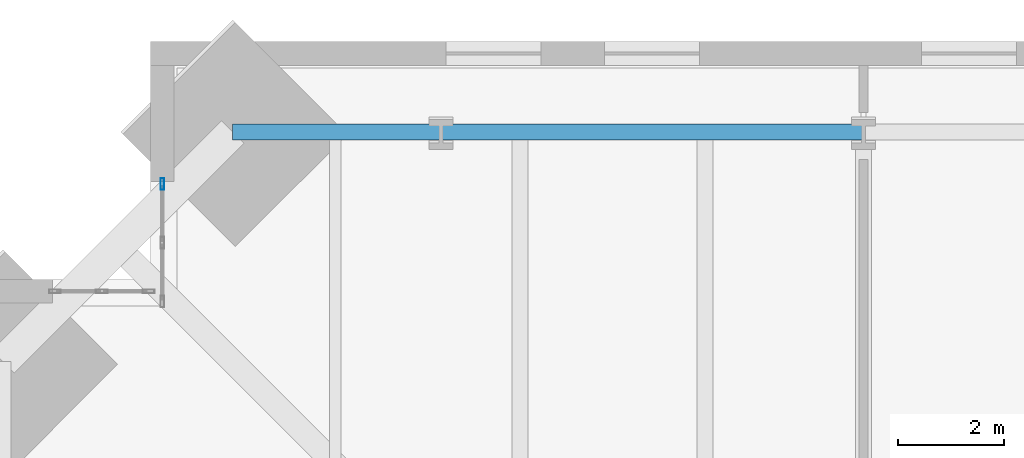
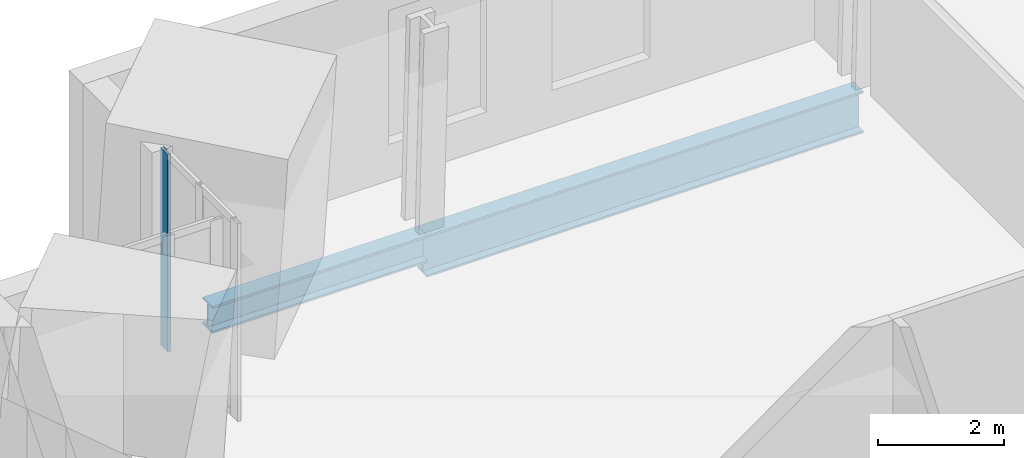
# One storey, part 8 of 18: 2 beams, 1 member, 1 element without a shape of its own.
"""IFC4 building model written with IfcOpenShell, lengths in metres."""

from ifc_helpers import new_model, si_unit, direction, frame, origin, origin_2d, place, context, subcontext, project, spatial, hollow_rectangle, i_section, extrude, material, material_profile, profile_set, type_object, element, aggregate, save


model = new_model("IFC4")

# Units and contexts
model_context = context("Model", 3, precision=1e-05, world=origin(), true_north=direction((0.0, 1.0)))
body_context = subcontext(model_context, "Body", "Model", "MODEL_VIEW")
ifc_project = project(units=[si_unit("LENGTHUNIT", "METRE"), si_unit("AREAUNIT", "SQUARE_METRE"), si_unit("VOLUMEUNIT", "CUBIC_METRE"), si_unit("PLANEANGLEUNIT", "RADIAN"), si_unit("MASSUNIT", "GRAM", prefix="KILO")], contexts=[model_context])

# Site, building, storey
site_placement = place(None, origin())
site = spatial("IfcSite", under=ifc_project, at=site_placement, CompositionType="ELEMENT")
building_placement = place(site_placement, origin())
building = spatial("IfcBuilding", under=site, at=building_placement, Name="Peilmerk Tower", CompositionType="ELEMENT")
storey_placement = place(building_placement, frame((0.0, 0.0, 163.800048828125)))
storey = spatial("IfcBuildingStorey", under=building, at=storey_placement, Name="L34", CompositionType="ELEMENT", Elevation=163.800048828125)

# Beams
ifc_material_1 = material(Name="Steel S355", Category="steel")
ifc_material_profile_1 = material_profile(ifc_material_1, i_section(OverallWidth=0.302978515625, OverallDepth=0.81396484375, WebThickness=0.02099609375, FlangeThickness=0.0400390625, at=origin_2d()), Name="HEM 800")
ifc_profile_set_1 = profile_set([ifc_material_profile_1], Name="Steel S355")
beam_type_1 = type_object("IfcBeamType", Name="B15 HEM 800 edge beam", PredefinedType="SPANDREL", material=ifc_profile_set_1)
beam_1_placement = place(storey_placement, frame((-8.0, 24.2919921875, -0.5771484375), z_axis=(-1.0, 0.0, 0.0), x_axis=(0.0, -1.0, 0.0)))
element("IfcBeam", 1, at=beam_1_placement, inside=storey, type_object=beam_type_1, Name="Edge beam L34", PredefinedType="SPANDREL", context=body_context, shape_type="SweptSolid", body=[
    extrude(i_section(OverallWidth=0.302978515625, OverallDepth=0.81396484375, WebThickness=0.02099609375, FlangeThickness=0.0400390625, at=origin_2d()), origin(), (0.0, 0.0, 1.0), 8.0),
])
ifc_material_profile_2 = material_profile(ifc_material_1, i_section(OverallWidth=0.305908203125, OverallDepth=0.52392578125, WebThickness=0.02099609375, FlangeThickness=0.0400390625, at=origin_2d()), Name="HEM 500")
ifc_profile_set_2 = profile_set([ifc_material_profile_2], Name="Steel S355")
beam_type_2 = type_object("IfcBeamType", Name="B33 HEM 500 edge beam", PredefinedType="SPANDREL", material=ifc_profile_set_2)
beam_2_placement = place(storey_placement, frame((-16.0, 24.2919921875, -0.43212890625), z_axis=(-1.0, 0.0, 0.0), x_axis=(0.0, -1.0, 0.0)))
element("IfcBeam", 2, at=beam_2_placement, inside=storey, type_object=beam_type_2, Name="Edge beam L34", PredefinedType="SPANDREL", context=body_context, shape_type="SweptSolid", body=[
    extrude(i_section(OverallWidth=0.305908203125, OverallDepth=0.52392578125, WebThickness=0.02099609375, FlangeThickness=0.0400390625, at=origin_2d()), origin(), (0.0, 0.0, 1.0), 3.94189453125),
])

# Curtain wall, member
ifc_material_2 = material(Name="Aluminium stick curtain wall", Category="aluminium")
curtain_wall_type = type_object("IfcCurtainWallType", Name="CW3 stick curtain wall, 2250 module", PredefinedType="NOTDEFINED", material=ifc_material_2)
curtain_wall_placement = place(storey_placement, origin())
curtain_wall = element("IfcCurtainWall", 3, at=curtain_wall_placement, inside=storey, type_object=curtain_wall_type, Name="Curtain wall CW3 NWA L34", PredefinedType="NOTDEFINED")
ifc_material_3 = material(Name="Aluminium EN AW-6063 T6", Category="aluminium")
ifc_material_profile_3 = material_profile(ifc_material_3, hollow_rectangle(XDim=0.06494140625, YDim=0.22509765625, WallThickness=0.00390625, at=origin_2d()), Name="AL 225x65x4")
ifc_profile_set_3 = profile_set([ifc_material_profile_3], Name="Aluminium EN AW-6063 T6")
member_type = type_object("IfcMemberType", Name="CW3-M AL 225x65x4 mullion", PredefinedType="MULLION", material=ifc_profile_set_3)
member_placement = place(storey_placement, frame((-21.27490234375, 23.30615234375, 0.0), z_axis=(0.0, 0.0, 1.0), x_axis=(-1.0, 0.0, 0.0)))
member = element("IfcMember", 4, at=member_placement, type_object=member_type, Name="CW3 mullion 3", PredefinedType="MULLION", context=body_context, shape_type="SweptSolid", body=[
    extrude(hollow_rectangle(XDim=0.06494140625, YDim=0.22509765625, WallThickness=0.00390625, at=origin_2d()), origin(), (0.0, 0.0, 1.0), 3.829833984375),
])
aggregate(curtain_wall, [member])

save(model, "model.ifc")
